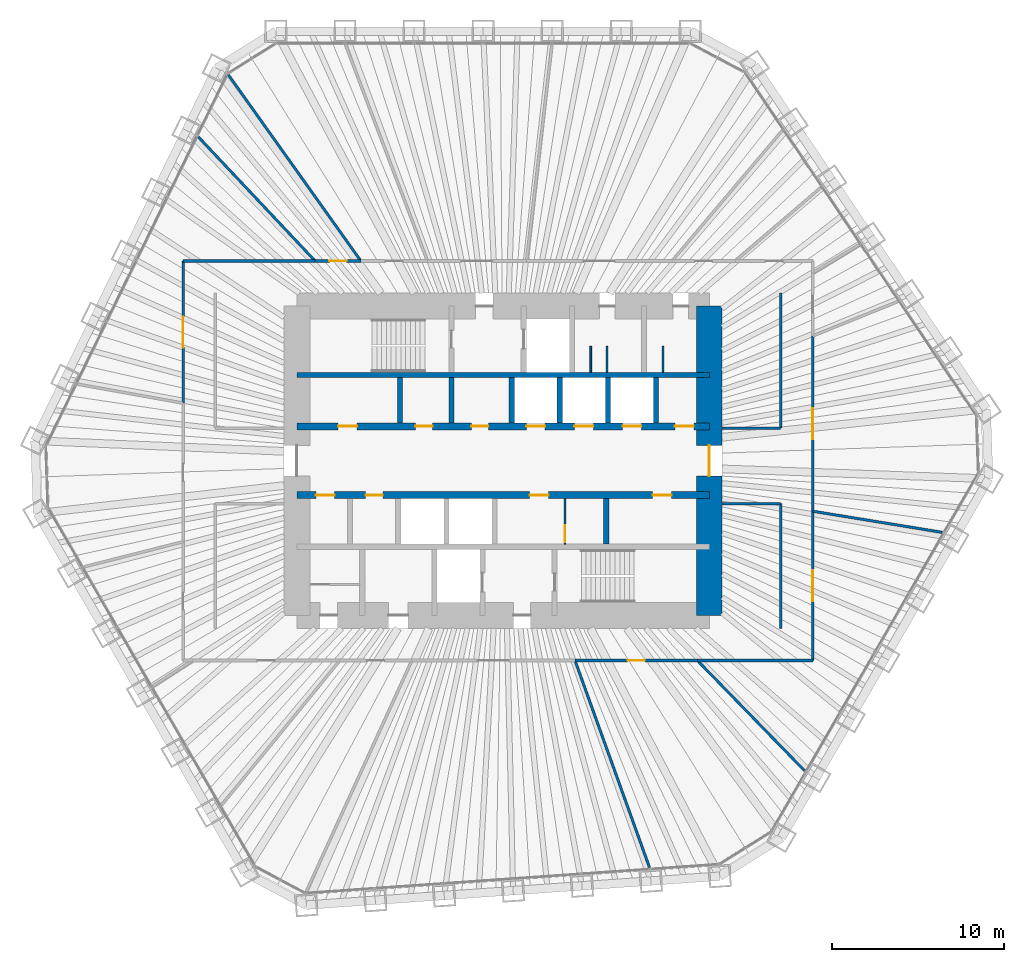
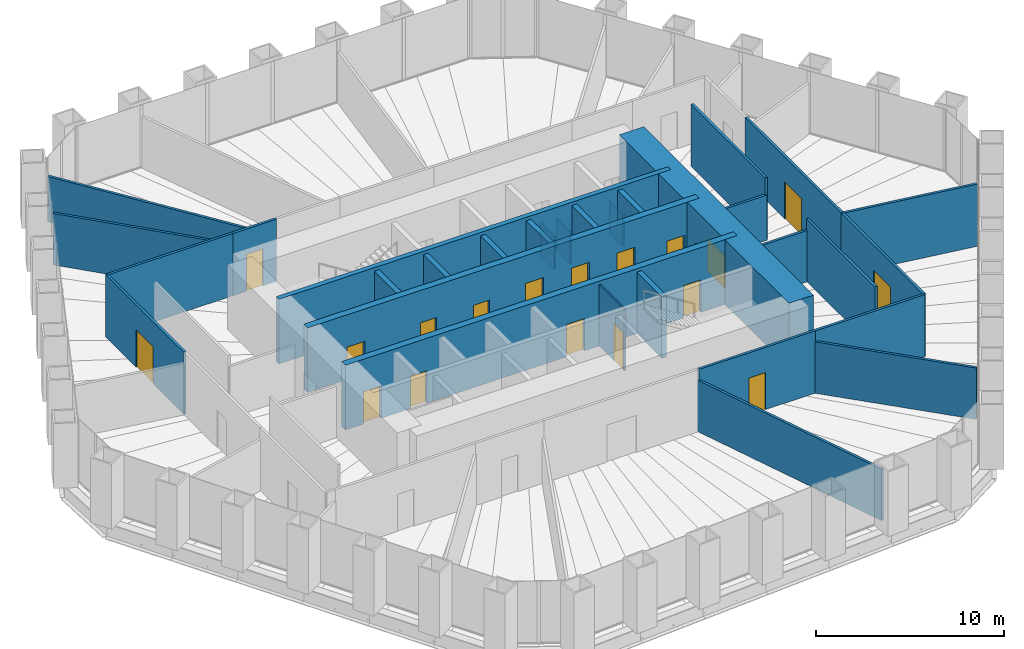
# One storey, part 11 of 13: 31 walls, 18 doors, 18 openings.
"""IFC4 building model written with IfcOpenShell, lengths in metres."""

from ifc_helpers import new_model, si_unit, direction, frame, frame_2d, origin, place, context, subcontext, project, spatial, rectangle, extrude, material, layer, layer_set, type_object, element, fill, save


model = new_model("IFC4")

# Units and contexts
model_context = context("Model", 3, precision=1e-05, world=origin(), true_north=direction((0.0, 1.0)))
body_context = subcontext(model_context, "Body", "Model", "MODEL_VIEW")
ifc_project = project(units=[si_unit("LENGTHUNIT", "METRE"), si_unit("AREAUNIT", "SQUARE_METRE"), si_unit("VOLUMEUNIT", "CUBIC_METRE"), si_unit("PLANEANGLEUNIT", "RADIAN"), si_unit("MASSUNIT", "GRAM", prefix="KILO")], contexts=[model_context])

# Site, building, storey
site_placement = place(None, origin())
site = spatial("IfcSite", under=ifc_project, at=site_placement, CompositionType="ELEMENT")
building_placement = place(site_placement, origin())
building = spatial("IfcBuilding", under=site, at=building_placement, Name="Qingtian Harvest Tower", CompositionType="ELEMENT")
storey_placement = place(building_placement, frame((0.0, 0.0, 153.39990234375)))
storey = spatial("IfcBuildingStorey", under=building, at=storey_placement, Name="L32", CompositionType="ELEMENT", Elevation=153.39990234375)

# Wall
ifc_material_1 = material(Name="Concrete fc' 70 MPa", Category="concrete")
ifc_layer_1 = layer(ifc_material_1, 0.300048828125)
ifc_layer_set_1 = layer_set([ifc_layer_1], Name="Core inner wall RC5 300")
wall_type_1 = type_object("IfcWallType", Name="Core inner wall RC5 300", PredefinedType="SHEAR", material=ifc_layer_set_1)
wall_1_placement = place(storey_placement, frame((-12.0, 5.0, 0.0), z_axis=(0.0, 0.0, 1.0), x_axis=(1.0, 0.0, 0.0)))
element("IfcWall", 1, at=wall_1_placement, inside=storey, type_object=wall_type_1, Name="Core wall IN5 L32", PredefinedType="SHEAR", context=body_context, shape_type="SweptSolid", body=[
    extrude(rectangle(XDim=24.0, YDim=0.300048828125, at=frame_2d((12.0, 0.0))), origin(), (0.0, 0.0, 1.0), 4.2001953125),
])

# Wall, openings, doors
ifc_material_2 = material(Name="Concrete fc' 70 MPa", Category="concrete")
ifc_layer_2 = layer(ifc_material_2, 0.39990234375)
ifc_layer_set_2 = layer_set([ifc_layer_2], Name="Core inner web RC6 400")
wall_type_2 = type_object("IfcWallType", Name="Core inner web RC6 400", PredefinedType="SHEAR", material=ifc_layer_set_2)
wall_2_placement = place(storey_placement, frame((-12.0, 2.0, 0.0), z_axis=(0.0, 0.0, 1.0), x_axis=(1.0, 0.0, 0.0)))
wall_2 = element("IfcWall", 2, at=wall_2_placement, inside=storey, type_object=wall_type_2, Name="Core wall IN2 L32", PredefinedType="SHEAR", context=body_context, shape_type="SweptSolid", body=[
    extrude(rectangle(XDim=24.0, YDim=0.39990234375, at=frame_2d((12.0, 0.0))), origin(), (0.0, 0.0, 1.0), 4.2001953125),
])
opening_1_placement = place(wall_2_placement, frame((2.39990234375, 0.0, 0.0)))
opening_1 = element("IfcOpeningElement", 3, at=opening_1_placement, cuts=wall_2, Name="Opening FD4", PredefinedType="OPENING", context=body_context, shape_type="SweptSolid", body=[
    extrude(rectangle(XDim=1.10009765625, YDim=2.10009765625, at=frame_2d((0.550048828125, 1.050048828125))), frame((0.0, 0.2099609375, 0.0), z_axis=(0.0, -1.0, 0.0), x_axis=(1.0, 0.0, 0.0)), (0.0, 0.0, 1.0), 0.419921875),
])
opening_2_placement = place(wall_2_placement, frame((22.0, 0.0, 0.0)))
opening_2 = element("IfcOpeningElement", 4, at=opening_2_placement, cuts=wall_2, Name="Opening FD4", PredefinedType="OPENING", context=body_context, shape_type="SweptSolid", body=[
    extrude(rectangle(XDim=1.10009765625, YDim=2.10009765625, at=frame_2d((0.550048828125, 1.050048828125))), frame((0.0, 0.2099609375, 0.0), z_axis=(0.0, -1.0, 0.0), x_axis=(1.0, 0.0, 0.0)), (0.0, 0.0, 1.0), 0.419921875),
])
opening_3_placement = place(wall_2_placement, frame((10.14990234375, 0.0, 0.0)))
opening_3 = element("IfcOpeningElement", 5, at=opening_3_placement, cuts=wall_2, Name="Opening FD1", PredefinedType="OPENING", context=body_context, shape_type="SweptSolid", body=[
    extrude(rectangle(XDim=1.0, YDim=2.10009765625, at=frame_2d((0.5, 1.050048828125))), frame((0.0, 0.2099609375, 0.0), z_axis=(0.0, -1.0, 0.0), x_axis=(1.0, 0.0, 0.0)), (0.0, 0.0, 1.0), 0.419921875),
])
opening_4_placement = place(wall_2_placement, frame((6.89990234375, 0.0, 0.0)))
opening_4 = element("IfcOpeningElement", 6, at=opening_4_placement, cuts=wall_2, Name="Opening FD1", PredefinedType="OPENING", context=body_context, shape_type="SweptSolid", body=[
    extrude(rectangle(XDim=1.0, YDim=2.10009765625, at=frame_2d((0.5, 1.050048828125))), frame((0.0, 0.2099609375, 0.0), z_axis=(0.0, -1.0, 0.0), x_axis=(1.0, 0.0, 0.0)), (0.0, 0.0, 1.0), 0.419921875),
])
opening_5_placement = place(wall_2_placement, frame((13.35009765625, 0.0, 0.0)))
opening_5 = element("IfcOpeningElement", 7, at=opening_5_placement, cuts=wall_2, Name="Opening LD1", PredefinedType="OPENING", context=body_context, shape_type="SweptSolid", body=[
    extrude(rectangle(XDim=1.10009765625, YDim=2.39990234375, at=frame_2d((0.550048828125, 1.199951171875))), frame((0.0, 0.2099609375, 0.0), z_axis=(0.0, -1.0, 0.0), x_axis=(1.0, 0.0, 0.0)), (0.0, 0.0, 1.0), 0.419921875),
])
opening_6_placement = place(wall_2_placement, frame((16.14990234375, 0.0, 0.0)))
opening_6 = element("IfcOpeningElement", 8, at=opening_6_placement, cuts=wall_2, Name="Opening LD1", PredefinedType="OPENING", context=body_context, shape_type="SweptSolid", body=[
    extrude(rectangle(XDim=1.10009765625, YDim=2.39990234375, at=frame_2d((0.550048828125, 1.199951171875))), frame((0.0, 0.2099609375, 0.0), z_axis=(0.0, -1.0, 0.0), x_axis=(1.0, 0.0, 0.0)), (0.0, 0.0, 1.0), 0.419921875),
])
opening_7_placement = place(wall_2_placement, frame((18.949951171875, 0.0, 0.0)))
opening_7 = element("IfcOpeningElement", 9, at=opening_7_placement, cuts=wall_2, Name="Opening LD1", PredefinedType="OPENING", context=body_context, shape_type="SweptSolid", body=[
    extrude(rectangle(XDim=1.10009765625, YDim=2.39990234375, at=frame_2d((0.550048828125, 1.199951171875))), frame((0.0, 0.2099609375, 0.0), z_axis=(0.0, -1.0, 0.0), x_axis=(1.0, 0.0, 0.0)), (0.0, 0.0, 1.0), 0.419921875),
])
ifc_material_3 = material(Name="Steel-faced door leaf", Category="steel")
door_type_1 = type_object("IfcDoorType", Name="Fire door FD1 single 1 HR", OperationType="SINGLE_SWING_LEFT", PredefinedType="DOOR", material=ifc_material_3)
door_1_placement = place(opening_3_placement, origin())
door_1 = element("IfcDoor", 10, at=door_1_placement, inside=storey, type_object=door_type_1, Name="STA door L32", OperationType="SINGLE_SWING_RIGHT", OverallHeight=2.10009765625, OverallWidth=1.0, PredefinedType="DOOR", context=body_context, shape_type="SweptSolid", body=[
    extrude(rectangle(XDim=1.0, YDim=2.10009765625, at=frame_2d((0.5, 1.050048828125))), frame((0.0, 0.02490234375, 0.0), z_axis=(0.0, -1.0, 0.0), x_axis=(1.0, 0.0, 0.0)), (0.0, 0.0, 1.0), 0.050048828125),
])
fill(opening_3, door_1)
door_2_placement = place(opening_4_placement, origin())
door_2 = element("IfcDoor", 11, at=door_2_placement, inside=storey, type_object=door_type_1, Name="Store door L32", OperationType="SINGLE_SWING_LEFT", OverallHeight=2.10009765625, OverallWidth=1.0, PredefinedType="DOOR", context=body_context, shape_type="SweptSolid", body=[
    extrude(rectangle(XDim=1.0, YDim=2.10009765625, at=frame_2d((0.5, 1.050048828125))), frame((0.0, 0.02490234375, 0.0), z_axis=(0.0, -1.0, 0.0), x_axis=(1.0, 0.0, 0.0)), (0.0, 0.0, 1.0), 0.050048828125),
])
fill(opening_4, door_2)
ifc_material_4 = material(Name="Steel-faced door leaf", Category="steel")
door_type_2 = type_object("IfcDoorType", Name="Fire door FD4 single 2 HR", OperationType="SINGLE_SWING_LEFT", PredefinedType="DOOR", material=ifc_material_4)
door_3_placement = place(opening_1_placement, origin())
door_3 = element("IfcDoor", 12, at=door_3_placement, inside=storey, type_object=door_type_2, Name="RA door L32", OperationType="SINGLE_SWING_RIGHT", OverallHeight=2.10009765625, OverallWidth=1.10009765625, PredefinedType="DOOR", context=body_context, shape_type="SweptSolid", body=[
    extrude(rectangle(XDim=1.10009765625, YDim=2.10009765625, at=frame_2d((0.550048828125, 1.050048828125))), frame((0.0, 0.02490234375, 0.0), z_axis=(0.0, -1.0, 0.0), x_axis=(1.0, 0.0, 0.0)), (0.0, 0.0, 1.0), 0.050048828125),
])
fill(opening_1, door_3)
door_4_placement = place(opening_2_placement, origin())
door_4 = element("IfcDoor", 13, at=door_4_placement, inside=storey, type_object=door_type_2, Name="AHU door L32", OperationType="SINGLE_SWING_LEFT", OverallHeight=2.10009765625, OverallWidth=1.10009765625, PredefinedType="DOOR", context=body_context, shape_type="SweptSolid", body=[
    extrude(rectangle(XDim=1.10009765625, YDim=2.10009765625, at=frame_2d((0.550048828125, 1.050048828125))), frame((0.0, 0.02490234375, 0.0), z_axis=(0.0, -1.0, 0.0), x_axis=(1.0, 0.0, 0.0)), (0.0, 0.0, 1.0), 0.050048828125),
])
fill(opening_2, door_4)
ifc_material_5 = material(Name="Stainless steel lift landing door", Category="steel")
door_type_3 = type_object("IfcDoorType", Name="Lift landing door LD1 1 HR", OperationType="DOUBLE_DOOR_SLIDING", PredefinedType="DOOR", material=ifc_material_5)
door_5_placement = place(opening_5_placement, origin())
door_5 = element("IfcDoor", 14, at=door_5_placement, inside=storey, type_object=door_type_3, Name="PLB1 landing door L32", OperationType="DOUBLE_DOOR_SLIDING", OverallHeight=2.39990234375, OverallWidth=1.10009765625, PredefinedType="DOOR", context=body_context, shape_type="SweptSolid", body=[
    extrude(rectangle(XDim=1.10009765625, YDim=2.39990234375, at=frame_2d((0.550048828125, 1.199951171875))), frame((0.0, 0.02490234375, 0.0), z_axis=(0.0, -1.0, 0.0), x_axis=(1.0, 0.0, 0.0)), (0.0, 0.0, 1.0), 0.050048828125),
])
fill(opening_5, door_5)
door_6_placement = place(opening_6_placement, origin())
door_6 = element("IfcDoor", 15, at=door_6_placement, inside=storey, type_object=door_type_3, Name="PLB2 landing door L32", OperationType="DOUBLE_DOOR_SLIDING", OverallHeight=2.39990234375, OverallWidth=1.10009765625, PredefinedType="DOOR", context=body_context, shape_type="SweptSolid", body=[
    extrude(rectangle(XDim=1.10009765625, YDim=2.39990234375, at=frame_2d((0.550048828125, 1.199951171875))), frame((0.0, 0.02490234375, 0.0), z_axis=(0.0, -1.0, 0.0), x_axis=(1.0, 0.0, 0.0)), (0.0, 0.0, 1.0), 0.050048828125),
])
fill(opening_6, door_6)
door_7_placement = place(opening_7_placement, origin())
door_7 = element("IfcDoor", 16, at=door_7_placement, inside=storey, type_object=door_type_3, Name="PLB3 landing door L32", OperationType="DOUBLE_DOOR_SLIDING", OverallHeight=2.39990234375, OverallWidth=1.10009765625, PredefinedType="DOOR", context=body_context, shape_type="SweptSolid", body=[
    extrude(rectangle(XDim=1.10009765625, YDim=2.39990234375, at=frame_2d((0.550048828125, 1.199951171875))), frame((0.0, 0.02490234375, 0.0), z_axis=(0.0, -1.0, 0.0), x_axis=(1.0, 0.0, 0.0)), (0.0, 0.0, 1.0), 0.050048828125),
])
fill(opening_7, door_7)

wall_3_placement = place(storey_placement, frame((-12.0, -2.0, 0.0), z_axis=(0.0, 0.0, 1.0), x_axis=(1.0, 0.0, 0.0)))
wall_3 = element("IfcWall", 17, at=wall_3_placement, inside=storey, type_object=wall_type_2, Name="Core wall IS2 L32", PredefinedType="SHEAR", context=body_context, shape_type="SweptSolid", body=[
    extrude(rectangle(XDim=24.0, YDim=0.39990234375, at=frame_2d((12.0, 0.0))), origin(), (0.0, 0.0, 1.0), 4.2001953125),
])
opening_8_placement = place(wall_3_placement, frame((1.10009765625, 0.0, 0.0)))
opening_8 = element("IfcOpeningElement", 18, at=opening_8_placement, cuts=wall_3, Name="Opening FD4", PredefinedType="OPENING", context=body_context, shape_type="SweptSolid", body=[
    extrude(rectangle(XDim=1.10009765625, YDim=2.10009765625, at=frame_2d((0.550048828125, 1.050048828125))), frame((0.0, 0.2099609375, 0.0), z_axis=(0.0, -1.0, 0.0), x_axis=(1.0, 0.0, 0.0)), (0.0, 0.0, 1.0), 0.419921875),
])
opening_9_placement = place(wall_3_placement, frame((13.550048828125, 0.0, 0.0)))
opening_9 = element("IfcOpeningElement", 19, at=opening_9_placement, cuts=wall_3, Name="Opening FD4", PredefinedType="OPENING", context=body_context, shape_type="SweptSolid", body=[
    extrude(rectangle(XDim=1.10009765625, YDim=2.10009765625, at=frame_2d((0.550048828125, 1.050048828125))), frame((0.0, 0.2099609375, 0.0), z_axis=(0.0, -1.0, 0.0), x_axis=(1.0, 0.0, 0.0)), (0.0, 0.0, 1.0), 0.419921875),
])
opening_10_placement = place(wall_3_placement, frame((20.699951171875, 0.0, 0.0)))
opening_10 = element("IfcOpeningElement", 20, at=opening_10_placement, cuts=wall_3, Name="Opening FD4", PredefinedType="OPENING", context=body_context, shape_type="SweptSolid", body=[
    extrude(rectangle(XDim=1.10009765625, YDim=2.10009765625, at=frame_2d((0.550048828125, 1.050048828125))), frame((0.0, 0.2099609375, 0.0), z_axis=(0.0, -1.0, 0.0), x_axis=(1.0, 0.0, 0.0)), (0.0, 0.0, 1.0), 0.419921875),
])
opening_11_placement = place(wall_3_placement, frame((4.0, 0.0, 0.0)))
opening_11 = element("IfcOpeningElement", 21, at=opening_11_placement, cuts=wall_3, Name="Opening FD1", PredefinedType="OPENING", context=body_context, shape_type="SweptSolid", body=[
    extrude(rectangle(XDim=1.0, YDim=2.10009765625, at=frame_2d((0.5, 1.050048828125))), frame((0.0, 0.2099609375, 0.0), z_axis=(0.0, -1.0, 0.0), x_axis=(1.0, 0.0, 0.0)), (0.0, 0.0, 1.0), 0.419921875),
])
door_8_placement = place(opening_11_placement, origin())
door_8 = element("IfcDoor", 22, at=door_8_placement, inside=storey, type_object=door_type_1, Name="Staff WC door L32", OperationType="SINGLE_SWING_LEFT", OverallHeight=2.10009765625, OverallWidth=1.0, PredefinedType="DOOR", context=body_context, shape_type="SweptSolid", body=[
    extrude(rectangle(XDim=1.0, YDim=2.10009765625, at=frame_2d((0.5, 1.050048828125))), frame((0.0, 0.02490234375, 0.0), z_axis=(0.0, -1.0, 0.0), x_axis=(1.0, 0.0, 0.0)), (0.0, 0.0, 1.0), 0.050048828125),
])
fill(opening_11, door_8)
door_9_placement = place(opening_8_placement, origin())
door_9 = element("IfcDoor", 23, at=door_9_placement, inside=storey, type_object=door_type_2, Name="RB door L32", OperationType="SINGLE_SWING_RIGHT", OverallHeight=2.10009765625, OverallWidth=1.10009765625, PredefinedType="DOOR", context=body_context, shape_type="SweptSolid", body=[
    extrude(rectangle(XDim=1.10009765625, YDim=2.10009765625, at=frame_2d((0.550048828125, 1.050048828125))), frame((0.0, 0.02490234375, 0.0), z_axis=(0.0, -1.0, 0.0), x_axis=(1.0, 0.0, 0.0)), (0.0, 0.0, 1.0), 0.050048828125),
])
fill(opening_8, door_9)
door_10_placement = place(opening_9_placement, origin())
door_10 = element("IfcDoor", 24, at=door_10_placement, inside=storey, type_object=door_type_2, Name="ELEC door L32", OperationType="SINGLE_SWING_RIGHT", OverallHeight=2.10009765625, OverallWidth=1.10009765625, PredefinedType="DOOR", context=body_context, shape_type="SweptSolid", body=[
    extrude(rectangle(XDim=1.10009765625, YDim=2.10009765625, at=frame_2d((0.550048828125, 1.050048828125))), frame((0.0, 0.02490234375, 0.0), z_axis=(0.0, -1.0, 0.0), x_axis=(1.0, 0.0, 0.0)), (0.0, 0.0, 1.0), 0.050048828125),
])
fill(opening_9, door_10)
door_11_placement = place(opening_10_placement, origin())
door_11 = element("IfcDoor", 25, at=door_11_placement, inside=storey, type_object=door_type_2, Name="DUCT door L32", OperationType="SINGLE_SWING_LEFT", OverallHeight=2.10009765625, OverallWidth=1.10009765625, PredefinedType="DOOR", context=body_context, shape_type="SweptSolid", body=[
    extrude(rectangle(XDim=1.10009765625, YDim=2.10009765625, at=frame_2d((0.550048828125, 1.050048828125))), frame((0.0, 0.02490234375, 0.0), z_axis=(0.0, -1.0, 0.0), x_axis=(1.0, 0.0, 0.0)), (0.0, 0.0, 1.0), 0.050048828125),
])
fill(opening_10, door_11)

# Walls
ifc_material_6 = material(Name="Precast concrete shaft panel", Category="concrete")
ifc_layer_3 = layer(ifc_material_6, 0.300048828125)
ifc_layer_set_3 = layer_set([ifc_layer_3], Name="Core shaft partition SW1 300")
wall_type_3 = type_object("IfcWallType", Name="Core shaft partition SW1 300", PredefinedType="PARTITIONING", material=ifc_layer_set_3)
for number, where, z_axis, x_axis, name in (
    (26, (-6.0, 2.199951171875, 0.0), (0.0, 0.0, 1.0), (0.0, 1.0, 0.0), "Core shaft partition XA1 L32"),
    (27, (-3.0, 2.199951171875, 0.0), (0.0, 0.0, 1.0), (0.0, 1.0, 0.0), "Core shaft partition XA2 L32"),
    (28, (0.5, 2.199951171875, 0.0), (0.0, 0.0, 1.0), (0.0, 1.0, 0.0), "Core shaft partition XA3 L32"),
    (29, (3.300048828125, 2.199951171875, 0.0), (0.0, 0.0, 1.0), (0.0, 1.0, 0.0), "Core shaft partition XA4 L32"),
    (30, (6.10009765625, 2.199951171875, 0.0), (0.0, 0.0, 1.0), (0.0, 1.0, 0.0), "Core shaft partition XA5 L32"),
    (31, (8.89990234375, 2.199951171875, 0.0), (0.0, 0.0, 1.0), (0.0, 1.0, 0.0), "Core shaft partition XA6 L32"),
    (32, (6.0, -4.85009765625, 0.0), (0.0, 0.0, 1.0), (0.0, 1.0, 0.0), "Core shaft partition XB5 L32"),
):
    element("IfcWall", number, at=place(storey_placement, frame(where, z_axis=z_axis, x_axis=x_axis)), inside=storey, type_object=wall_type_3, Name=name, PredefinedType="PARTITIONING", context=body_context, shape_type="SweptSolid", body=[
        extrude(rectangle(XDim=2.650146484375, YDim=0.300048828125, at=frame_2d((1.3251953125, 0.0))), origin(), (0.0, 0.0, 1.0), 3.97998046875),
    ])

# Wall, opening, door
ifc_material_7 = material(Name="Concrete fc' 70 MPa", Category="concrete")
ifc_layer_4 = layer(ifc_material_7, 1.5)
ifc_layer_set_4 = layer_set([ifc_layer_4], Name="Core wall RC1 1500")
wall_type_4 = type_object("IfcWallType", Name="Core wall RC1 1500", PredefinedType="SHEAR", material=ifc_layer_set_4)
wall_4_placement = place(storey_placement, frame((12.0, -9.0, 0.0), z_axis=(0.0, 0.0, 1.0), x_axis=(0.0, 1.0, 0.0)))
wall_4 = element("IfcWall", 33, at=wall_4_placement, inside=storey, type_object=wall_type_4, Name="Core wall CE L32", PredefinedType="SHEAR", context=body_context, shape_type="SweptSolid", body=[
    extrude(rectangle(XDim=18.0, YDim=1.5, at=frame_2d((9.0, 0.0))), origin(), (0.0, 0.0, 1.0), 4.2001953125),
])
opening_12_placement = place(wall_4_placement, frame((8.10009765625, 0.0, 0.0)))
opening_12 = element("IfcOpeningElement", 34, at=opening_12_placement, cuts=wall_4, Name="Opening FD2", PredefinedType="OPENING", context=body_context, shape_type="SweptSolid", body=[
    extrude(rectangle(XDim=1.800048828125, YDim=2.10009765625, at=frame_2d((0.89990234375, 1.050048828125))), frame((0.0, 0.760009765625, 0.0), z_axis=(0.0, -1.0, 0.0), x_axis=(1.0, 0.0, 0.0)), (0.0, 0.0, 1.0), 1.52001953125),
])
ifc_material_8 = material(Name="Steel-faced door leaf", Category="steel")
door_type_4 = type_object("IfcDoorType", Name="Fire door FD2 double 1 HR", OperationType="DOUBLE_DOOR_DOUBLE_SWING", PredefinedType="DOOR", material=ifc_material_8)
door_12_placement = place(opening_12_placement, origin())
door_12 = element("IfcDoor", 35, at=door_12_placement, inside=storey, type_object=door_type_4, Name="LOBBY-E door L32", OperationType="DOUBLE_DOOR_DOUBLE_SWING", OverallHeight=2.10009765625, OverallWidth=1.800048828125, PredefinedType="DOOR", context=body_context, shape_type="SweptSolid", body=[
    extrude(rectangle(XDim=1.800048828125, YDim=2.10009765625, at=frame_2d((0.89990234375, 1.050048828125))), frame((0.0, 0.02490234375, 0.0), z_axis=(0.0, -1.0, 0.0), x_axis=(1.0, 0.0, 0.0)), (0.0, 0.0, 1.0), 0.050048828125),
])
fill(opening_12, door_12)

ifc_material_9 = material(Name="Gypsum board on steel studs", Category="steel")
ifc_layer_5 = layer(ifc_material_9, 0.14990234375)
ifc_layer_set_5 = layer_set([ifc_layer_5], Name="Partition PT1 150")
wall_type_5 = type_object("IfcWallType", Name="Partition PT1 150", PredefinedType="PARTITIONING", material=ifc_layer_set_5)
wall_5_placement = place(storey_placement, frame((18.02490234375, 7.267333984375, 0.0), z_axis=(0.0, 0.0, 1.0), x_axis=(0.0, -1.0, 0.0)))
wall_5 = element("IfcWall", 36, at=wall_5_placement, inside=storey, type_object=wall_type_5, Name="Meeting room wall L32", PredefinedType="PARTITIONING", context=body_context, shape_type="SweptSolid", body=[
    extrude(rectangle(XDim=10.205322265625, YDim=0.14990234375, at=frame_2d((5.1025390625, 0.0))), origin(), (0.0, 0.0, 1.0), 4.030029296875),
])
opening_13_placement = place(wall_5_placement, frame((4.20263671875, 0.0, 0.0)))
opening_13 = element("IfcOpeningElement", 37, at=opening_13_placement, cuts=wall_5, Name="Opening D3", PredefinedType="OPENING", context=body_context, shape_type="SweptSolid", body=[
    extrude(rectangle(XDim=1.800048828125, YDim=2.39990234375, at=frame_2d((0.89990234375, 1.199951171875))), frame((0.0, 0.0849609375, 0.0), z_axis=(0.0, -1.0, 0.0), x_axis=(1.0, 0.0, 0.0)), (0.0, 0.0, 1.0), 0.169921875),
])
ifc_material_10 = material(Name="Laminated timber door leaf", Category="wood")
door_type_5 = type_object("IfcDoorType", Name="Room door D3 double", OperationType="DOUBLE_DOOR_DOUBLE_SWING", PredefinedType="DOOR", material=ifc_material_10)
door_13_placement = place(opening_13_placement, origin())
door_13 = element("IfcDoor", 38, at=door_13_placement, inside=storey, type_object=door_type_5, Name="Meeting room door L32", OperationType="DOUBLE_DOOR_DOUBLE_SWING", OverallHeight=2.39990234375, OverallWidth=1.800048828125, PredefinedType="DOOR", context=body_context, shape_type="SweptSolid", body=[
    extrude(rectangle(XDim=1.800048828125, YDim=2.39990234375, at=frame_2d((0.89990234375, 1.199951171875))), frame((0.0, 0.02490234375, 0.0), z_axis=(0.0, -1.0, 0.0), x_axis=(1.0, 0.0, 0.0)), (0.0, 0.0, 1.0), 0.050048828125),
])
fill(opening_13, door_13)

# Wall
wall_6_placement = place(storey_placement, frame((25.547119140625, -4.1640625, 0.0), z_axis=(0.0, 0.0, 1.0), x_axis=(-0.986975470567, 0.160870819291, 0.0)))
element("IfcWall", 39, at=wall_6_placement, inside=storey, type_object=wall_type_5, Name="Workplace zone wall L32", PredefinedType="PARTITIONING", context=body_context, shape_type="SweptSolid", body=[
    extrude(rectangle(XDim=7.62158203125, YDim=0.14990234375, at=frame_2d((3.810791015625, 0.0))), origin(), (0.0, 0.0, 1.0), 4.030029296875),
])

# Wall, opening, door
wall_7_placement = place(storey_placement, frame((18.02490234375, -2.93798828125, 0.0), z_axis=(0.0, 0.0, 1.0), x_axis=(0.0, -1.0, 0.0)))
wall_7 = element("IfcWall", 40, at=wall_7_placement, inside=storey, type_object=wall_type_5, Name="Workplace zone wall L32", PredefinedType="PARTITIONING", context=body_context, shape_type="SweptSolid", body=[
    extrude(rectangle(XDim=8.68701171875, YDim=0.14990234375, at=frame_2d((4.343505859375, 0.0))), origin(), (0.0, 0.0, 1.0), 4.030029296875),
])
opening_14_placement = place(wall_7_placement, frame((3.443359375, 0.0, 0.0)))
opening_14 = element("IfcOpeningElement", 41, at=opening_14_placement, cuts=wall_7, Name="Opening D3", PredefinedType="OPENING", context=body_context, shape_type="SweptSolid", body=[
    extrude(rectangle(XDim=1.800048828125, YDim=2.39990234375, at=frame_2d((0.89990234375, 1.199951171875))), frame((0.0, 0.0849609375, 0.0), z_axis=(0.0, -1.0, 0.0), x_axis=(1.0, 0.0, 0.0)), (0.0, 0.0, 1.0), 0.169921875),
])
door_14_placement = place(opening_14_placement, origin())
door_14 = element("IfcDoor", 42, at=door_14_placement, inside=storey, type_object=door_type_5, Name="Workplace zone door L32", OperationType="DOUBLE_DOOR_DOUBLE_SWING", OverallHeight=2.39990234375, OverallWidth=1.800048828125, PredefinedType="DOOR", context=body_context, shape_type="SweptSolid", body=[
    extrude(rectangle(XDim=1.800048828125, YDim=2.39990234375, at=frame_2d((0.89990234375, 1.199951171875))), frame((0.0, 0.02490234375, 0.0), z_axis=(0.0, -1.0, 0.0), x_axis=(1.0, 0.0, 0.0)), (0.0, 0.0, 1.0), 0.050048828125),
])
fill(opening_14, door_14)

# Walls
wall_8_placement = place(storey_placement, frame((18.02490234375, -11.625, 0.0), z_axis=(0.0, 0.0, 1.0), x_axis=(-1.0, 0.0, 0.0)))
element("IfcWall", 43, at=wall_8_placement, inside=storey, type_object=wall_type_5, Name="Workplace zone wall L32", PredefinedType="PARTITIONING", context=body_context, shape_type="SweptSolid", body=[
    extrude(rectangle(XDim=6.7177734375, YDim=0.14990234375, at=frame_2d((3.35888671875, 0.0))), origin(), (0.0, 0.0, 1.0), 4.030029296875),
])
wall_9_placement = place(storey_placement, frame((17.537841796875, -18.031005859375, 0.0), z_axis=(0.0, 0.0, 1.0), x_axis=(-0.697230918085, 0.716846599257, 0.0)))
element("IfcWall", 44, at=wall_9_placement, inside=storey, type_object=wall_type_5, Name="Focus room wall L32", PredefinedType="PARTITIONING", context=body_context, shape_type="SweptSolid", body=[
    extrude(rectangle(XDim=8.936279296875, YDim=0.14990234375, at=frame_2d((4.46826171875, 0.0))), origin(), (0.0, 0.0, 1.0), 3.330078125),
])

# Wall, opening, door
wall_10_placement = place(storey_placement, frame((11.30712890625, -11.625, 0.0), z_axis=(0.0, 0.0, 1.0), x_axis=(-1.0, 0.0, 0.0)))
wall_10 = element("IfcWall", 45, at=wall_10_placement, inside=storey, type_object=wall_type_5, Name="Focus room wall L32", PredefinedType="PARTITIONING", context=body_context, shape_type="SweptSolid", body=[
    extrude(rectangle(XDim=7.123046875, YDim=0.14990234375, at=frame_2d((3.5615234375, 0.0))), origin(), (0.0, 0.0, 1.0), 4.030029296875),
])
opening_15_placement = place(wall_10_placement, frame((3.0615234375, 0.0, 0.0)))
opening_15 = element("IfcOpeningElement", 46, at=opening_15_placement, cuts=wall_10, Name="Opening D2", PredefinedType="OPENING", context=body_context, shape_type="SweptSolid", body=[
    extrude(rectangle(XDim=1.0, YDim=2.39990234375, at=frame_2d((0.5, 1.199951171875))), frame((0.0, 0.0849609375, 0.0), z_axis=(0.0, -1.0, 0.0), x_axis=(1.0, 0.0, 0.0)), (0.0, 0.0, 1.0), 0.169921875),
])
ifc_material_11 = material(Name="Laminated timber door leaf", Category="wood")
door_type_6 = type_object("IfcDoorType", Name="Room door D2 single", OperationType="SINGLE_SWING_LEFT", PredefinedType="DOOR", material=ifc_material_11)
door_15_placement = place(opening_15_placement, origin())
door_15 = element("IfcDoor", 47, at=door_15_placement, inside=storey, type_object=door_type_6, Name="Focus room door L32", OperationType="SINGLE_SWING_LEFT", OverallHeight=2.39990234375, OverallWidth=1.0, PredefinedType="DOOR", context=body_context, shape_type="SweptSolid", body=[
    extrude(rectangle(XDim=1.0, YDim=2.39990234375, at=frame_2d((0.5, 1.199951171875))), frame((0.0, 0.02490234375, 0.0), z_axis=(0.0, -1.0, 0.0), x_axis=(1.0, 0.0, 0.0)), (0.0, 0.0, 1.0), 0.050048828125),
])
fill(opening_15, door_15)

# Wall
wall_11_placement = place(storey_placement, frame((8.51806640625, -23.667236328125, 0.0), z_axis=(0.0, 0.0, 1.0), x_axis=(-0.338635030469, 0.940917805198, 0.0)))
element("IfcWall", 48, at=wall_11_placement, inside=storey, type_object=wall_type_5, Name="Workplace zone wall L32", PredefinedType="PARTITIONING", context=body_context, shape_type="SweptSolid", body=[
    extrude(rectangle(XDim=12.79833984375, YDim=0.14990234375, at=frame_2d((6.399169921875, 0.0))), origin(), (0.0, 0.0, 1.0), 3.330078125),
])

# Wall, opening, door
wall_12_placement = place(storey_placement, frame((-18.625, 3.35302734375, 0.0), z_axis=(0.0, 0.0, 1.0), x_axis=(0.0, 1.0, 0.0)))
wall_12 = element("IfcWall", 49, at=wall_12_placement, inside=storey, type_object=wall_type_5, Name="Workplace zone wall L32", PredefinedType="PARTITIONING", context=body_context, shape_type="SweptSolid", body=[
    extrude(rectangle(XDim=8.27197265625, YDim=0.14990234375, at=frame_2d((4.135986328125, 0.0))), origin(), (0.0, 0.0, 1.0), 4.030029296875),
])
opening_16_placement = place(wall_12_placement, frame((3.236083984375, 0.0, 0.0)))
opening_16 = element("IfcOpeningElement", 50, at=opening_16_placement, cuts=wall_12, Name="Opening D3", PredefinedType="OPENING", context=body_context, shape_type="SweptSolid", body=[
    extrude(rectangle(XDim=1.800048828125, YDim=2.39990234375, at=frame_2d((0.89990234375, 1.199951171875))), frame((0.0, 0.0849609375, 0.0), z_axis=(0.0, -1.0, 0.0), x_axis=(1.0, 0.0, 0.0)), (0.0, 0.0, 1.0), 0.169921875),
])
door_16_placement = place(opening_16_placement, origin())
door_16 = element("IfcDoor", 51, at=door_16_placement, inside=storey, type_object=door_type_5, Name="Workplace zone door L32", OperationType="DOUBLE_DOOR_DOUBLE_SWING", OverallHeight=2.39990234375, OverallWidth=1.800048828125, PredefinedType="DOOR", context=body_context, shape_type="SweptSolid", body=[
    extrude(rectangle(XDim=1.800048828125, YDim=2.39990234375, at=frame_2d((0.89990234375, 1.199951171875))), frame((0.0, 0.02490234375, 0.0), z_axis=(0.0, -1.0, 0.0), x_axis=(1.0, 0.0, 0.0)), (0.0, 0.0, 1.0), 0.050048828125),
])
fill(opening_16, door_16)

# Walls
wall_13_placement = place(storey_placement, frame((-18.625, 11.625, 0.0), z_axis=(0.0, 0.0, 1.0), x_axis=(1.0, 0.0, 0.0)))
element("IfcWall", 52, at=wall_13_placement, inside=storey, type_object=wall_type_5, Name="Workplace zone wall L32", PredefinedType="PARTITIONING", context=body_context, shape_type="SweptSolid", body=[
    extrude(rectangle(XDim=7.686279296875, YDim=0.14990234375, at=frame_2d((3.84326171875, 0.0))), origin(), (0.0, 0.0, 1.0), 4.030029296875),
])
wall_14_placement = place(storey_placement, frame((-17.738037109375, 18.850830078125, 0.0), z_axis=(0.0, 0.0, 1.0), x_axis=(0.685286406267, -0.728273672039, 0.0)))
element("IfcWall", 53, at=wall_14_placement, inside=storey, type_object=wall_type_5, Name="Meeting room wall L32", PredefinedType="PARTITIONING", context=body_context, shape_type="SweptSolid", body=[
    extrude(rectangle(XDim=9.921875, YDim=0.14990234375, at=frame_2d((4.9609375, 0.0))), origin(), (0.0, 0.0, 1.0), 3.330078125),
])

# Wall, opening, door
wall_15_placement = place(storey_placement, frame((-10.938720703125, 11.625, 0.0), z_axis=(0.0, 0.0, 1.0), x_axis=(1.0, 0.0, 0.0)))
wall_15 = element("IfcWall", 54, at=wall_15_placement, inside=storey, type_object=wall_type_5, Name="Meeting room wall L32", PredefinedType="PARTITIONING", context=body_context, shape_type="SweptSolid", body=[
    extrude(rectangle(XDim=2.662109375, YDim=0.14990234375, at=frame_2d((1.3310546875, 0.0))), origin(), (0.0, 0.0, 1.0), 4.030029296875),
])
opening_17_placement = place(wall_15_placement, frame((0.8310546875, 0.0, 0.0)))
opening_17 = element("IfcOpeningElement", 55, at=opening_17_placement, cuts=wall_15, Name="Opening D2", PredefinedType="OPENING", context=body_context, shape_type="SweptSolid", body=[
    extrude(rectangle(XDim=1.0, YDim=2.39990234375, at=frame_2d((0.5, 1.199951171875))), frame((0.0, 0.0849609375, 0.0), z_axis=(0.0, -1.0, 0.0), x_axis=(1.0, 0.0, 0.0)), (0.0, 0.0, 1.0), 0.169921875),
])
door_17_placement = place(opening_17_placement, origin())
door_17 = element("IfcDoor", 56, at=door_17_placement, inside=storey, type_object=door_type_6, Name="Meeting room door L32", OperationType="SINGLE_SWING_RIGHT", OverallHeight=2.39990234375, OverallWidth=1.0, PredefinedType="DOOR", context=body_context, shape_type="SweptSolid", body=[
    extrude(rectangle(XDim=1.0, YDim=2.39990234375, at=frame_2d((0.5, 1.199951171875))), frame((0.0, 0.02490234375, 0.0), z_axis=(0.0, -1.0, 0.0), x_axis=(1.0, 0.0, 0.0)), (0.0, 0.0, 1.0), 0.050048828125),
])
fill(opening_17, door_17)

# Walls
wall_16_placement = place(storey_placement, frame((-15.986572265625, 22.45458984375, 0.0), z_axis=(0.0, 0.0, 1.0), x_axis=(0.579969304452, -0.814638328274, 0.0)))
element("IfcWall", 57, at=wall_16_placement, inside=storey, type_object=wall_type_5, Name="Private office wall L32", PredefinedType="PARTITIONING", context=body_context, shape_type="SweptSolid", body=[
    extrude(rectangle(XDim=13.293701171875, YDim=0.14990234375, at=frame_2d((6.64697265625, 0.0))), origin(), (0.0, 0.0, 1.0), 2.93017578125),
])
wall_17_placement = place(storey_placement, frame((16.14990234375, 1.89990234375, 0.0), z_axis=(0.0, 0.0, 1.0), x_axis=(0.0, 1.0, 0.0)))
element("IfcWall", 58, at=wall_17_placement, inside=storey, type_object=wall_type_5, Name="Breakout space wall L32", PredefinedType="PARTITIONING", context=body_context, shape_type="SweptSolid", body=[
    extrude(rectangle(XDim=7.85009765625, YDim=0.14990234375, at=frame_2d((3.925048828125, 0.0))), origin(), (0.0, 0.0, 1.0), 4.030029296875),
])
wall_18_placement = place(storey_placement, frame((12.75, 1.89990234375, 0.0), z_axis=(0.0, 0.0, 1.0), x_axis=(1.0, 0.0, 0.0)))
element("IfcWall", 59, at=wall_18_placement, inside=storey, type_object=wall_type_5, Name="Breakout space wall L32", PredefinedType="PARTITIONING", context=body_context, shape_type="SweptSolid", body=[
    extrude(rectangle(XDim=3.39990234375, YDim=0.14990234375, at=frame_2d((1.699951171875, 0.0))), origin(), (0.0, 0.0, 1.0), 2.93017578125),
])
wall_19_placement = place(storey_placement, frame((16.14990234375, -9.75, 0.0), z_axis=(0.0, 0.0, 1.0), x_axis=(0.0, 1.0, 0.0)))
element("IfcWall", 60, at=wall_19_placement, inside=storey, type_object=wall_type_5, Name="Print area wall L32", PredefinedType="PARTITIONING", context=body_context, shape_type="SweptSolid", body=[
    extrude(rectangle(XDim=7.25, YDim=0.14990234375, at=frame_2d((3.625, 0.0))), origin(), (0.0, 0.0, 1.0), 4.030029296875),
])
wall_20_placement = place(storey_placement, frame((12.75, -2.5, 0.0), z_axis=(0.0, 0.0, 1.0), x_axis=(1.0, 0.0, 0.0)))
element("IfcWall", 61, at=wall_20_placement, inside=storey, type_object=wall_type_5, Name="Print area wall L32", PredefinedType="PARTITIONING", context=body_context, shape_type="SweptSolid", body=[
    extrude(rectangle(XDim=3.39990234375, YDim=0.14990234375, at=frame_2d((1.699951171875, 0.0))), origin(), (0.0, 0.0, 1.0), 3.330078125),
])

# Wall, opening, door
ifc_material_12 = material(Name="Concrete block partition", Category="concrete")
ifc_layer_6 = layer(ifc_material_12, 0.10009765625)
ifc_layer_set_6 = layer_set([ifc_layer_6], Name="Store partition PT3 100")
wall_type_6 = type_object("IfcWallType", Name="Store partition PT3 100", PredefinedType="PARTITIONING", material=ifc_layer_set_6)
wall_21_placement = place(storey_placement, frame((3.60009765625, -4.85009765625, 0.0), z_axis=(0.0, 0.0, 1.0), x_axis=(0.0, 1.0, 0.0)))
wall_21 = element("IfcWall", 62, at=wall_21_placement, inside=storey, type_object=wall_type_6, Name="Comms room wall L32", PredefinedType="PARTITIONING", context=body_context, shape_type="SweptSolid", body=[
    extrude(rectangle(XDim=2.650146484375, YDim=0.10009765625, at=frame_2d((1.3251953125, 0.0))), origin(), (0.0, 0.0, 1.0), 3.97998046875),
])
opening_18_placement = place(wall_21_placement, frame((0.10009765625, 0.0, 0.0)))
opening_18 = element("IfcOpeningElement", 63, at=opening_18_placement, cuts=wall_21, Name="Opening D2", PredefinedType="OPENING", context=body_context, shape_type="SweptSolid", body=[
    extrude(rectangle(XDim=1.0, YDim=2.39990234375, at=frame_2d((0.5, 1.199951171875))), frame((0.0, 0.06005859375, 0.0), z_axis=(0.0, -1.0, 0.0), x_axis=(1.0, 0.0, 0.0)), (0.0, 0.0, 1.0), 0.1201171875),
])
door_18_placement = place(opening_18_placement, origin())
door_18 = element("IfcDoor", 64, at=door_18_placement, inside=storey, type_object=door_type_6, Name="Comms room door L32", OperationType="SINGLE_SWING_LEFT", OverallHeight=2.39990234375, OverallWidth=1.0, PredefinedType="DOOR", context=body_context, shape_type="SweptSolid", body=[
    extrude(rectangle(XDim=1.0, YDim=2.39990234375, at=frame_2d((0.5, 1.199951171875))), frame((0.0, 0.02490234375, 0.0), z_axis=(0.0, -1.0, 0.0), x_axis=(1.0, 0.0, 0.0)), (0.0, 0.0, 1.0), 0.050048828125),
])
fill(opening_18, door_18)

# Walls
ifc_material_13 = material(Name="Compact laminate cubicle partition", Category="plastic")
ifc_layer_7 = layer(ifc_material_13, 0.10009765625)
ifc_layer_set_7 = layer_set([ifc_layer_7], Name="WC cubicle partition WP1 100")
wall_type_7 = type_object("IfcWallType", Name="WC cubicle partition WP1 100", PredefinedType="PARTITIONING", material=ifc_layer_set_7)
for number, where, z_axis, x_axis, name in (
    (65, (5.10009765625, 5.14990234375, 0.0), (0.0, 0.0, 1.0), (0.0, 1.0, 0.0), "WC cubicle partition WCM L32"),
    (66, (6.050048828125, 5.14990234375, 0.0), (0.0, 0.0, 1.0), (0.0, 1.0, 0.0), "WC cubicle partition WCM L32"),
    (67, (9.300048828125, 5.14990234375, 0.0), (0.0, 0.0, 1.0), (0.0, 1.0, 0.0), "WC cubicle partition WCF L32"),
):
    element("IfcWall", number, at=place(storey_placement, frame(where, z_axis=z_axis, x_axis=x_axis)), inside=storey, type_object=wall_type_7, Name=name, PredefinedType="PARTITIONING", context=body_context, shape_type="SweptSolid", body=[
        extrude(rectangle(XDim=1.5, YDim=0.10009765625, at=frame_2d((0.75, 0.0))), origin(), (0.0, 0.0, 1.0), 2.10009765625),
    ])

save(model, "model.ifc")
